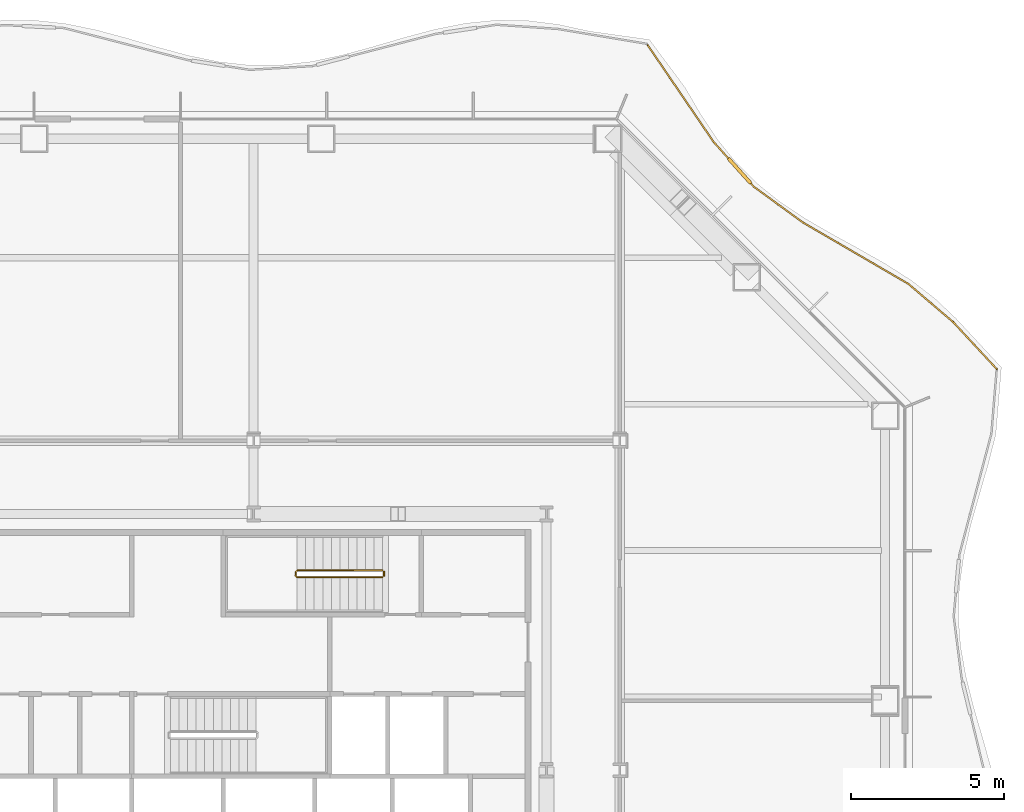
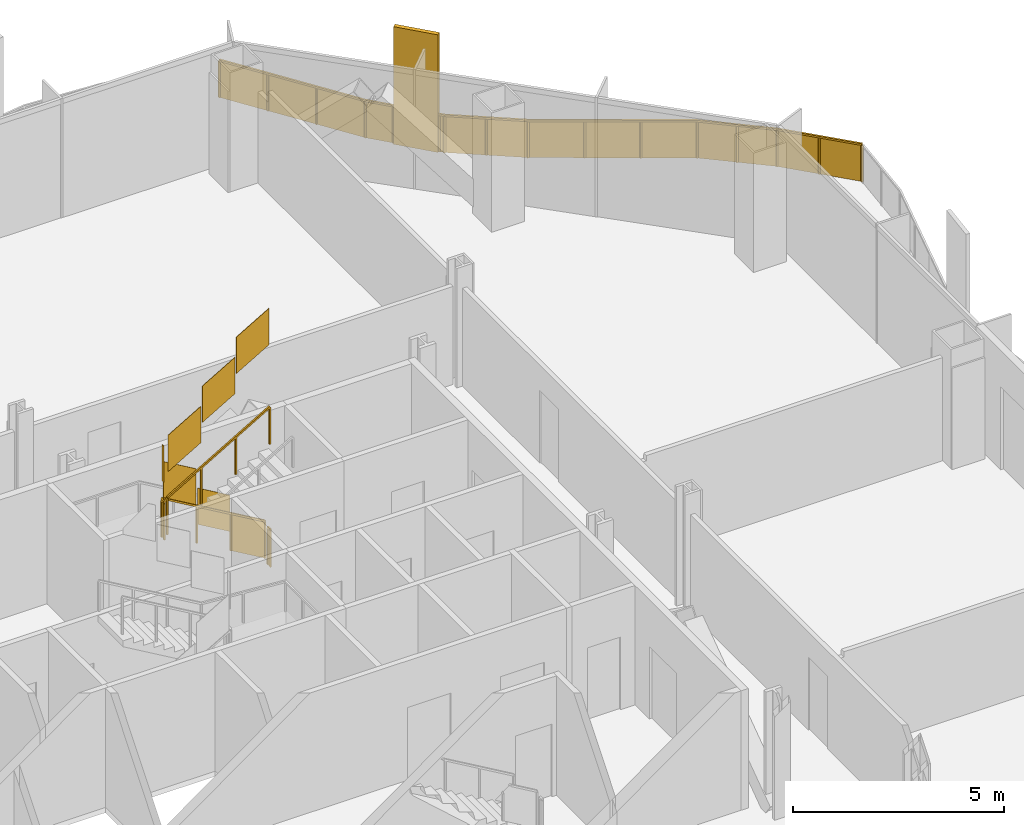
# One storey, part 18 of 18: 3 railings.
"""IFC4 building model written with IfcOpenShell, lengths in metres."""

from ifc_helpers import new_model, si_unit, direction, frame, origin, origin_2d, place, context, subcontext, project, spatial, polyline, rectangle, outline, extrude, material, type_object, element, save


model = new_model("IFC4")

# Units and contexts
model_context = context("Model", 3, precision=1e-05, world=origin(), true_north=direction((0.0, 1.0)))
body_context = subcontext(model_context, "Body", "Model", "MODEL_VIEW")
ifc_project = project(units=[si_unit("LENGTHUNIT", "METRE"), si_unit("AREAUNIT", "SQUARE_METRE"), si_unit("VOLUMEUNIT", "CUBIC_METRE"), si_unit("PLANEANGLEUNIT", "RADIAN"), si_unit("MASSUNIT", "GRAM", prefix="KILO")], contexts=[model_context])

# Site, building, storey
site_placement = place(None, origin())
site = spatial("IfcSite", under=ifc_project, at=site_placement, CompositionType="ELEMENT")
building_placement = place(site_placement, origin())
building = spatial("IfcBuilding", under=site, at=building_placement, Name="Cairn Pilgrim Tower", CompositionType="ELEMENT")
storey_placement = place(building_placement, frame((0.0, 0.0, 76.199951171875)))
storey = spatial("IfcBuildingStorey", under=building, at=storey_placement, Name="L17", CompositionType="ELEMENT", Elevation=76.199951171875)

# Railings
ifc_material_1 = material(Name="Bronze anodised aluminium rail, posts and fin screens with laminated glass infill", Category="aluminium")
railing_type_1 = type_object("IfcRailingType", Name="BALCONY GUARD WITH FIN SCREENS", PredefinedType="GUARDRAIL", material=ifc_material_1)
railing_1_placement = place(storey_placement, frame((31.56005859375, 15.553955078125, 0.0)))
element("IfcRailing", 1, at=railing_1_placement, inside=storey, type_object=railing_type_1, Name="Balcony guard BGF-4 with fin screens", PredefinedType="GUARDRAIL", context=body_context, shape_type="SweptSolid", body=[
    extrude(rectangle(XDim=0.050048828125, YDim=0.050048828125, at=origin_2d()), frame((0.0, 0.0, 1.0751953125), z_axis=(-0.680273033126, 0.732958798571, 0.0), x_axis=(-0.732958798571, -0.680273033126, 0.0)), (0.0, 0.0, 1.0), 2.103759765625),
    extrude(rectangle(XDim=0.050048828125, YDim=0.050048828125, at=origin_2d()), frame((-1.43115234375, 1.5419921875, 1.0751953125), z_axis=(-0.761099325728, 0.648635349311, 0.0), x_axis=(-0.648635349311, -0.761099325728, 0.0)), (0.0, 0.0, 1.0), 1.92333984375),
    extrude(rectangle(XDim=0.050048828125, YDim=0.050048828125, at=origin_2d()), frame((-2.89501953125, 2.78955078125, 1.0751953125), z_axis=(-0.864141164883, 0.503249487983, 0.0), x_axis=(-0.503249487983, -0.864141164883, 0.0)), (0.0, 0.0, 1.0), 4.006103515625),
    extrude(rectangle(XDim=0.050048828125, YDim=0.050048828125, at=origin_2d()), frame((-6.35693359375, 4.8056640625, 1.0751953125), z_axis=(-0.807922201072, 0.589289162479, 0.0), x_axis=(-0.589289162479, -0.807922201072, 0.0)), (0.0, 0.0, 1.0), 1.986572265625),
    extrude(rectangle(XDim=1.10009765625, YDim=0.110107421875, at=origin_2d()), frame((-8.429931640625, 6.496826171875, 0.0), z_axis=(0.0, 0.0, 1.0), x_axis=(-0.668580798059, 0.743639507064, 0.0)), (0.0, 0.0, 1.0), 3.39990234375),
    extrude(rectangle(XDim=0.050048828125, YDim=0.050048828125, at=origin_2d()), frame((-7.9619140625, 5.976318359375, 1.0751953125), z_axis=(-0.668580798059, 0.743639507064, 0.0), x_axis=(-0.743639507064, -0.668580798059, 0.0)), (0.0, 0.0, 1.0), 0.14990234375),
    extrude(rectangle(XDim=0.050048828125, YDim=0.050048828125, at=origin_2d()), frame((-8.797607421875, 6.90576171875, 1.0751953125), z_axis=(-0.668580798059, 0.743639507064, 0.0), x_axis=(-0.743639507064, -0.668580798059, 0.0)), (0.0, 0.0, 1.0), 0.7177734375),
    extrude(rectangle(XDim=0.050048828125, YDim=0.050048828125, at=origin_2d()), frame((-9.277587890625, 7.439697265625, 1.0751953125), z_axis=(-0.563036859296, 0.826431784889, 0.0), x_axis=(-0.826431784889, -0.563036859296, 0.0)), (0.0, 0.0, 1.0), 3.839111328125),
    extrude(rectangle(XDim=0.050048828125, YDim=0.050048828125, at=origin_2d()), origin(), (0.0, 0.0, 1.0), 1.050048828125),
    extrude(rectangle(XDim=0.050048828125, YDim=0.050048828125, at=origin_2d()), frame((-0.715576171875, 0.77099609375, 0.0)), (0.0, 0.0, 1.0), 1.050048828125),
    extrude(rectangle(XDim=0.050048828125, YDim=0.050048828125, at=origin_2d()), frame((-1.43115234375, 1.5419921875, 0.0)), (0.0, 0.0, 1.0), 1.050048828125),
    extrude(rectangle(XDim=0.050048828125, YDim=0.050048828125, at=origin_2d()), frame((-2.1630859375, 2.165771484375, 0.0)), (0.0, 0.0, 1.0), 1.050048828125),
    extrude(rectangle(XDim=0.050048828125, YDim=0.050048828125, at=origin_2d()), frame((-2.89501953125, 2.78955078125, 0.0)), (0.0, 0.0, 1.0), 1.050048828125),
    extrude(rectangle(XDim=0.050048828125, YDim=0.050048828125, at=origin_2d()), frame((-4.049072265625, 3.461669921875, 0.0)), (0.0, 0.0, 1.0), 1.050048828125),
    extrude(rectangle(XDim=0.050048828125, YDim=0.050048828125, at=origin_2d()), frame((-5.202880859375, 4.133544921875, 0.0)), (0.0, 0.0, 1.0), 1.050048828125),
    extrude(rectangle(XDim=0.050048828125, YDim=0.050048828125, at=origin_2d()), frame((-6.35693359375, 4.8056640625, 0.0)), (0.0, 0.0, 1.0), 1.050048828125),
    extrude(rectangle(XDim=0.050048828125, YDim=0.050048828125, at=origin_2d()), frame((-7.159423828125, 5.39111328125, 0.0)), (0.0, 0.0, 1.0), 1.050048828125),
    extrude(rectangle(XDim=0.050048828125, YDim=0.050048828125, at=origin_2d()), frame((-7.9619140625, 5.976318359375, 0.0)), (0.0, 0.0, 1.0), 1.050048828125),
    extrude(rectangle(XDim=0.050048828125, YDim=0.050048828125, at=origin_2d()), frame((-8.04541015625, 6.0693359375, 0.0)), (0.0, 0.0, 1.0), 1.050048828125),
    extrude(rectangle(XDim=0.050048828125, YDim=0.050048828125, at=origin_2d()), frame((-8.814453125, 6.924560546875, 0.0)), (0.0, 0.0, 1.0), 1.050048828125),
    extrude(rectangle(XDim=0.050048828125, YDim=0.050048828125, at=origin_2d()), frame((-9.277587890625, 7.439697265625, 0.0)), (0.0, 0.0, 1.0), 1.050048828125),
    extrude(rectangle(XDim=0.050048828125, YDim=0.050048828125, at=origin_2d()), frame((-9.998046875, 8.497314453125, 0.0)), (0.0, 0.0, 1.0), 1.050048828125),
    extrude(rectangle(XDim=0.050048828125, YDim=0.050048828125, at=origin_2d()), frame((-10.71875, 9.554931640625, 0.0)), (0.0, 0.0, 1.0), 1.050048828125),
    extrude(rectangle(XDim=0.050048828125, YDim=0.050048828125, at=origin_2d()), frame((-11.439208984375, 10.612548828125, 0.0)), (0.0, 0.0, 1.0), 1.050048828125),
    extrude(outline(polyline([(0.02490234375, 0.0), (1.02685546875, 0.0), (1.02685546875, 1.050048828125), (0.02490234375, 1.050048828125), (0.02490234375, 0.0)])), frame((-0.00439453125, -0.004150390625, 0.0), z_axis=(0.732958798571, 0.680273033126, 0.0), x_axis=(-0.680273033126, 0.732958798571, 0.0)), (0.0, 0.0, 1.0), 0.011962890625),
    extrude(outline(polyline([(0.02490234375, 0.0), (1.02685546875, 0.0), (1.02685546875, 1.050048828125), (0.02490234375, 1.050048828125), (0.02490234375, 0.0)])), frame((-0.719970703125, 0.766845703125, 0.0), z_axis=(0.732958798571, 0.680273033126, 0.0), x_axis=(-0.680273033126, 0.732958798571, 0.0)), (0.0, 0.0, 1.0), 0.011962890625),
    extrude(outline(polyline([(0.02490234375, 0.0), (0.936767578125, 0.0), (0.936767578125, 1.050048828125), (0.02490234375, 1.050048828125), (0.02490234375, 0.0)])), frame((-1.43505859375, 1.537353515625, 0.0), z_axis=(0.648635349311, 0.761099325728, 0.0), x_axis=(-0.761099325728, 0.648635349311, 0.0)), (0.0, 0.0, 1.0), 0.011962890625),
    extrude(outline(polyline([(0.02490234375, 0.0), (0.936767578125, 0.0), (0.936767578125, 1.050048828125), (0.02490234375, 1.050048828125), (0.02490234375, 0.0)])), frame((-2.1669921875, 2.1611328125, 0.0), z_axis=(0.648635349311, 0.761099325728, 0.0), x_axis=(-0.761099325728, 0.648635349311, 0.0)), (0.0, 0.0, 1.0), 0.011962890625),
    extrude(outline(polyline([(0.02490234375, 0.0), (1.310302734375, 0.0), (1.310302734375, 1.050048828125), (0.02490234375, 1.050048828125), (0.02490234375, 0.0)])), frame((-2.89794921875, 2.784423828125, 0.0), z_axis=(0.503249487983, 0.864141164883, 0.0), x_axis=(-0.864141164883, 0.503249487983, 0.0)), (0.0, 0.0, 1.0), 0.011962890625),
    extrude(outline(polyline([(0.02490234375, 0.0), (1.310302734375, 0.0), (1.310302734375, 1.050048828125), (0.02490234375, 1.050048828125), (0.02490234375, 0.0)])), frame((-4.052001953125, 3.456298828125, 0.0), z_axis=(0.503249487983, 0.864141164883, 0.0), x_axis=(-0.864141164883, 0.503249487983, 0.0)), (0.0, 0.0, 1.0), 0.011962890625),
    extrude(outline(polyline([(0.02490234375, 0.0), (1.310302734375, 0.0), (1.310302734375, 1.050048828125), (0.02490234375, 1.050048828125), (0.02490234375, 0.0)])), frame((-5.2060546875, 4.12841796875, 0.0), z_axis=(0.503249487983, 0.864141164883, 0.0), x_axis=(-0.864141164883, 0.503249487983, 0.0)), (0.0, 0.0, 1.0), 0.011962890625),
    extrude(outline(polyline([(0.02490234375, 0.0), (0.96826171875, 0.0), (0.96826171875, 1.050048828125), (0.02490234375, 1.050048828125), (0.02490234375, 0.0)])), frame((-6.3603515625, 4.80078125, 0.0), z_axis=(0.589289162479, 0.807922201072, 0.0), x_axis=(-0.807922201072, 0.589289162479, 0.0)), (0.0, 0.0, 1.0), 0.011962890625),
    extrude(outline(polyline([(0.02490234375, 0.0), (0.96826171875, 0.0), (0.96826171875, 1.050048828125), (0.02490234375, 1.050048828125), (0.02490234375, 0.0)])), frame((-7.162841796875, 5.38623046875, 0.0), z_axis=(0.589289162479, 0.807922201072, 0.0), x_axis=(-0.807922201072, 0.589289162479, 0.0)), (0.0, 0.0, 1.0), 0.011962890625),
    extrude(outline(polyline([(0.02490234375, 0.0), (0.099853515625, 0.0), (0.099853515625, 1.050048828125), (0.02490234375, 1.050048828125), (0.02490234375, 0.0)])), frame((-7.96630859375, 5.972412109375, 0.0), z_axis=(0.743639507064, 0.668580798059, 0.0), x_axis=(-0.668580798059, 0.743639507064, 0.0)), (0.0, 0.0, 1.0), 0.011962890625),
    extrude(outline(polyline([(0.02490234375, 0.0), (0.667724609375, 0.0), (0.667724609375, 1.050048828125), (0.02490234375, 1.050048828125), (0.02490234375, 0.0)])), frame((-8.81884765625, 6.92041015625, 0.0), z_axis=(0.743639507064, 0.668580798059, 0.0), x_axis=(-0.668580798059, 0.743639507064, 0.0)), (0.0, 0.0, 1.0), 0.011962890625),
    extrude(outline(polyline([(0.02490234375, 0.0), (1.254638671875, 0.0), (1.254638671875, 1.050048828125), (0.02490234375, 1.050048828125), (0.02490234375, 0.0)])), frame((-9.282470703125, 7.436279296875, 0.0), z_axis=(0.826431784889, 0.563036859296, 0.0), x_axis=(-0.563036859296, 0.826431784889, 0.0)), (0.0, 0.0, 1.0), 0.011962890625),
    extrude(outline(polyline([(0.02490234375, 0.0), (1.254638671875, 0.0), (1.254638671875, 1.050048828125), (0.02490234375, 1.050048828125), (0.02490234375, 0.0)])), frame((-10.003173828125, 8.493896484375, 0.0), z_axis=(0.826431784889, 0.563036859296, 0.0), x_axis=(-0.563036859296, 0.826431784889, 0.0)), (0.0, 0.0, 1.0), 0.011962890625),
    extrude(outline(polyline([(0.02490234375, 0.0), (1.254638671875, 0.0), (1.254638671875, 1.050048828125), (0.02490234375, 1.050048828125), (0.02490234375, 0.0)])), frame((-10.7236328125, 9.551513671875, 0.0), z_axis=(0.826431784889, 0.563036859296, 0.0), x_axis=(-0.563036859296, 0.826431784889, 0.0)), (0.0, 0.0, 1.0), 0.011962890625),
])
ifc_material_2 = material(Name="Painted steel", Category="steel")
railing_type_2 = type_object("IfcRailingType", Name="STAIR GUARD 1100", PredefinedType="GUARDRAIL", material=ifc_material_2)
railing_2_placement = place(storey_placement, frame((11.425048828125, 8.949951171875, 0.16357421875)))
element("IfcRailing", 2, at=railing_2_placement, inside=storey, type_object=railing_type_2, Name="L17 ST-C stair guard 1", PredefinedType="GUARDRAIL", context=body_context, shape_type="SweptSolid", body=[
    extrude(rectangle(XDim=0.048095703125, YDim=0.048095703125, at=origin_2d()), frame((0.0, 0.0, 1.076171875), z_axis=(-0.863360870873, 0.0, 0.504586966384), x_axis=(0.0, -1.0, 0.0)), (0.0, 0.0, 1.0), 3.2431640625),
    extrude(rectangle(XDim=0.048095703125, YDim=0.048095703125, at=origin_2d()), frame((-2.800048828125, 0.0, 2.71240234375), z_axis=(-0.707106781187, -0.707106781187, 0.0), x_axis=(0.707106781187, -0.707106781187, 0.0)), (0.0, 0.0, 1.0), 0.07080078125),
    extrude(rectangle(XDim=0.048095703125, YDim=0.048095703125, at=origin_2d()), frame((-2.85009765625, -0.050048828125, 2.71240234375), z_axis=(0.0, -1.0, 0.0), x_axis=(1.0, 0.0, 0.0)), (0.0, 0.0, 1.0), 0.125),
    extrude(rectangle(XDim=0.048095703125, YDim=0.048095703125, at=origin_2d()), frame((-2.85009765625, -0.175048828125, 2.71240234375), z_axis=(0.280916556609, -0.279546231943, 0.91811752648), x_axis=(0.705375805398, 0.708833529934, 0.0)), (0.0, 0.0, 1.0), 0.17822265625),
    extrude(rectangle(XDim=0.048095703125, YDim=0.048095703125, at=origin_2d()), frame((-2.800048828125, -0.224853515625, 2.8759765625), z_axis=(0.863360870873, 0.0, 0.504586966384), x_axis=(0.0, 1.0, 0.0)), (0.0, 0.0, 1.0), 3.2431640625),
    extrude(rectangle(XDim=0.0419921875, YDim=0.0419921875, at=origin_2d()), origin(), (0.0, 0.0, 1.0), 1.052001953125),
    extrude(rectangle(XDim=0.0419921875, YDim=0.0419921875, at=origin_2d()), frame((-0.933349609375, 0.0, 0.54541015625)), (0.0, 0.0, 1.0), 1.052001953125),
    extrude(rectangle(XDim=0.0419921875, YDim=0.0419921875, at=origin_2d()), frame((-1.86669921875, 0.0, 1.091064453125)), (0.0, 0.0, 1.0), 1.052001953125),
    extrude(rectangle(XDim=0.0419921875, YDim=0.0419921875, at=origin_2d()), frame((-2.800048828125, 0.0, 1.636474609375)), (0.0, 0.0, 1.0), 1.052001953125),
    extrude(rectangle(XDim=0.0419921875, YDim=0.0419921875, at=origin_2d()), frame((-2.85009765625, -0.050048828125, 1.636474609375)), (0.0, 0.0, 1.0), 1.052001953125),
    extrude(rectangle(XDim=0.0419921875, YDim=0.0419921875, at=origin_2d()), frame((-2.85009765625, -0.175048828125, 1.636474609375)), (0.0, 0.0, 1.0), 1.052001953125),
    extrude(rectangle(XDim=0.0419921875, YDim=0.0419921875, at=origin_2d()), frame((-2.800048828125, -0.224853515625, 1.800048828125)), (0.0, 0.0, 1.0), 1.052001953125),
    extrude(rectangle(XDim=0.0419921875, YDim=0.0419921875, at=origin_2d()), frame((-1.86669921875, -0.224853515625, 2.345458984375)), (0.0, 0.0, 1.0), 1.052001953125),
    extrude(rectangle(XDim=0.0419921875, YDim=0.0419921875, at=origin_2d()), frame((-0.933349609375, -0.224853515625, 2.89111328125)), (0.0, 0.0, 1.0), 1.052001953125),
    extrude(rectangle(XDim=0.0419921875, YDim=0.0419921875, at=origin_2d()), frame((0.0, -0.224853515625, 3.4365234375)), (0.0, 0.0, 1.0), 1.052001953125),
    extrude(outline(polyline([(0.02099609375, 0.01220703125), (0.912353515625, 0.533203125), (0.912353515625, 1.585205078125), (0.02099609375, 1.064208984375), (0.02099609375, 0.01220703125)])), frame((0.0, -0.005859375, 0.0), z_axis=(0.0, 1.0, 0.0), x_axis=(-1.0, 0.0, 0.0)), (0.0, 0.0, 1.0), 0.011962890625),
    extrude(outline(polyline([(0.02099609375, 0.557861328125), (0.912353515625, 1.07861328125), (0.912353515625, 2.130615234375), (0.02099609375, 1.60986328125), (0.02099609375, 0.557861328125)])), frame((-0.933349609375, -0.005859375, 0.54541015625), z_axis=(0.0, 1.0, 0.0), x_axis=(-1.0, 0.0, 0.0)), (0.0, 0.0, 1.0), 0.011962890625),
    extrude(outline(polyline([(0.02099609375, 1.103271484375), (0.912353515625, 1.624267578125), (0.912353515625, 2.67626953125), (0.02099609375, 2.1552734375), (0.02099609375, 1.103271484375)])), frame((-1.86669921875, -0.005859375, 1.091064453125), z_axis=(0.0, 1.0, 0.0), x_axis=(-1.0, 0.0, 0.0)), (0.0, 0.0, 1.0), 0.011962890625),
    extrude(outline(polyline([(0.02099609375, 1.636474609375), (0.10400390625, 1.636474609375), (0.10400390625, 2.6884765625), (0.02099609375, 2.6884765625), (0.02099609375, 1.636474609375)])), frame((-2.84423828125, -0.050048828125, 1.636474609375), z_axis=(-1.0, 0.0, 0.0), x_axis=(0.0, -1.0, 0.0)), (0.0, 0.0, 1.0), 0.011962890625),
    extrude(outline(polyline([(0.02099609375, 1.812255859375), (0.912353515625, 2.333251953125), (0.912353515625, 3.38525390625), (0.02099609375, 2.8642578125), (0.02099609375, 1.812255859375)])), frame((-2.800048828125, -0.21875, 1.800048828125), z_axis=(0.0, -1.0, 0.0), x_axis=(1.0, 0.0, 0.0)), (0.0, 0.0, 1.0), 0.011962890625),
    extrude(outline(polyline([(0.02099609375, 2.35791015625), (0.912353515625, 2.878662109375), (0.912353515625, 3.9306640625), (0.02099609375, 3.409912109375), (0.02099609375, 2.35791015625)])), frame((-1.86669921875, -0.21875, 2.345458984375), z_axis=(0.0, -1.0, 0.0), x_axis=(1.0, 0.0, 0.0)), (0.0, 0.0, 1.0), 0.011962890625),
    extrude(outline(polyline([(0.02099609375, 2.9033203125), (0.912353515625, 3.42431640625), (0.912353515625, 4.476318359375), (0.02099609375, 3.955322265625), (0.02099609375, 2.9033203125)])), frame((-0.933349609375, -0.21875, 2.89111328125), z_axis=(0.0, -1.0, 0.0), x_axis=(1.0, 0.0, 0.0)), (0.0, 0.0, 1.0), 0.011962890625),
])
railing_3_placement = place(storey_placement, frame((11.47509765625, 8.89990234375, 0.0)))
element("IfcRailing", 3, at=railing_3_placement, inside=storey, type_object=railing_type_2, Name="L17 ST-C stair guard 2", PredefinedType="GUARDRAIL", context=body_context, shape_type="SweptSolid", body=[
    extrude(rectangle(XDim=0.048095703125, YDim=0.048095703125, at=origin_2d()), frame((0.0, 0.0, 1.076171875), z_axis=(0.0, -1.0, 0.0), x_axis=(1.0, 0.0, 0.0)), (0.0, 0.0, 1.0), 0.125),
    extrude(rectangle(XDim=0.0419921875, YDim=0.0419921875, at=origin_2d()), origin(), (0.0, 0.0, 1.0), 1.052001953125),
    extrude(rectangle(XDim=0.0419921875, YDim=0.0419921875, at=origin_2d()), frame((0.0, -0.125, 0.0)), (0.0, 0.0, 1.0), 1.052001953125),
    extrude(outline(polyline([(0.02099609375, 0.0), (0.10400390625, 0.0), (0.10400390625, 1.052001953125), (0.02099609375, 1.052001953125), (0.02099609375, 0.0)])), frame((0.005859375, 0.0, 0.0), z_axis=(-1.0, 0.0, 0.0), x_axis=(0.0, -1.0, 0.0)), (0.0, 0.0, 1.0), 0.011962890625),
])

save(model, "model.ifc")
